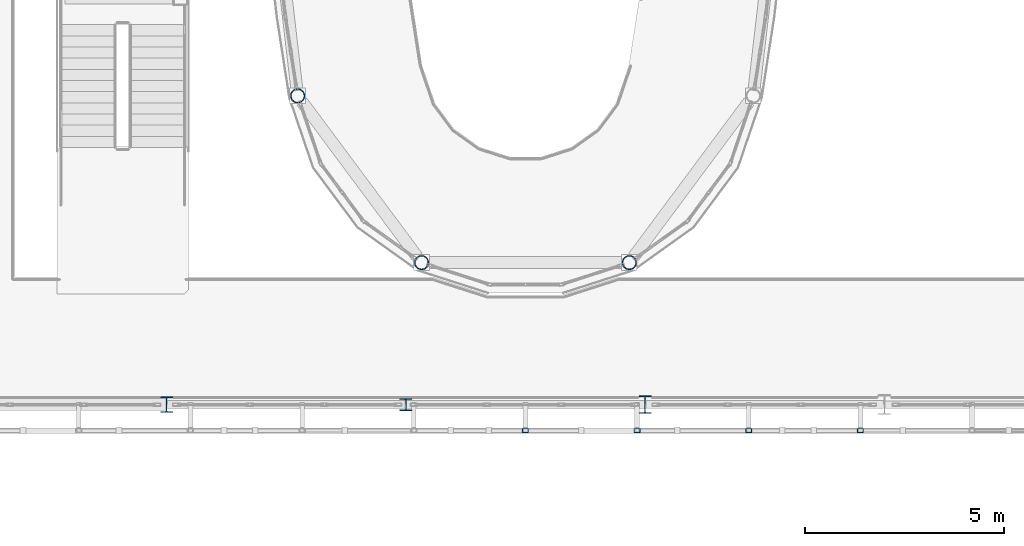
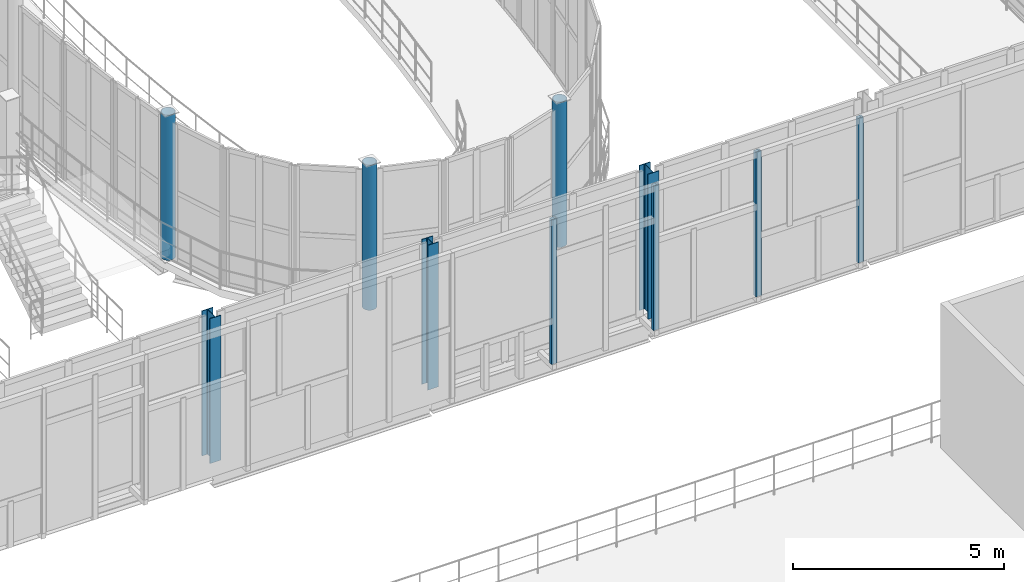
# One storey, part 3 of 138: 10 columns.
"""IFC4 building model written with IfcOpenShell, lengths in metres."""

from ifc_helpers import new_model, si_unit, direction, frame, origin, origin_2d, place, context, subcontext, project, spatial, hollow_rectangle, hollow_circle, i_section, extrude, material, material_profile, profile_set, type_object, element, save


model = new_model("IFC4")

# Units and contexts
model_context = context("Model", 3, precision=1e-05, world=origin(), true_north=direction((0.0, 1.0)))
body_context = subcontext(model_context, "Body", "Model", "MODEL_VIEW")
ifc_project = project(units=[si_unit("LENGTHUNIT", "METRE"), si_unit("AREAUNIT", "SQUARE_METRE"), si_unit("VOLUMEUNIT", "CUBIC_METRE"), si_unit("PLANEANGLEUNIT", "RADIAN"), si_unit("MASSUNIT", "GRAM", prefix="KILO")], contexts=[model_context])

# Site, building, storey
site_placement = place(None, origin())
site = spatial("IfcSite", under=ifc_project, at=site_placement, CompositionType="ELEMENT")
building_placement = place(site_placement, origin())
building = spatial("IfcBuilding", under=site, at=building_placement, Name="Vinh Khe Railworks Police Headquarters", CompositionType="ELEMENT")
storey_placement = place(building_placement, frame((0.0, 0.0, 9.0)))
storey = spatial("IfcBuildingStorey", under=building, at=storey_placement, Name="L02", CompositionType="ELEMENT", Elevation=9.0)

# Columns
ifc_material = material(Name="Steel S355JR", Category="steel")
ifc_material_profile_1 = material_profile(ifc_material, hollow_rectangle(XDim=0.14990234375, YDim=0.10009765625, WallThickness=0.008056640625, at=origin_2d()), Name="RHS 150x100x8")
ifc_profile_set_1 = profile_set([ifc_material_profile_1], Name="Steel S355JR")
column_type_1 = type_object("IfcColumnType", Name="COL-QUILT-POST", PredefinedType="COLUMN", material=ifc_profile_set_1)
for number, where, z_axis, x_axis, name in (
    (1, (43.199951171875, 24.550048828125, 0.0), (0.0, 0.0, 1.0), (1.0, 0.0, 0.0), "Patchwork Quilt Carrier Column S-7 (L02)"),
    (2, (46.0, 24.550048828125, 0.0), (0.0, 0.0, 1.0), (1.0, 0.0, 0.0), "Patchwork Quilt Carrier Column S-8 (L02)"),
    (3, (48.800048828125, 24.550048828125, 0.0), (0.0, 0.0, 1.0), (1.0, 0.0, 0.0), "Patchwork Quilt Carrier Column S-9 (L02)"),
    (4, (51.60009765625, 24.550048828125, 0.0), (0.0, 0.0, 1.0), (1.0, 0.0, 0.0), "Patchwork Quilt Carrier Column S-10 (L02)"),
):
    element("IfcColumn", number, at=place(storey_placement, frame(where, z_axis=z_axis, x_axis=x_axis)), inside=storey, type_object=column_type_1, Name=name, PredefinedType="COLUMN", context=body_context, shape_type="SweptSolid", body=[
        extrude(hollow_rectangle(XDim=0.14990234375, YDim=0.10009765625, WallThickness=0.008056640625, at=origin_2d()), origin(), (0.0, 0.0, 1.0), 4.199951171875),
    ])
ifc_material_profile_2 = material_profile(ifc_material, hollow_circle(Radius=0.177734375, WallThickness=0.01611328125, at=origin_2d()), Name="CHS 355.6x16")
ifc_profile_set_2 = profile_set([ifc_material_profile_2], Name="Steel S355JR")
column_type_2 = type_object("IfcColumnType", Name="Steel Column CHS 355.6x16", PredefinedType="COLUMN", material=ifc_profile_set_2)
for number, where, z_axis, x_axis, name in (
    (5, (37.48681640625, 32.944091796875, 0.0), (0.0, 0.0, 1.0), (-0.946480392435, -0.322761315426, 0.0), "Column COL-L02-SC-27-0842"),
    (6, (40.594970703125, 28.762451171875, 0.0), (0.0, 0.0, 1.0), (-0.30552912238, -0.952182732136, 0.0), "Column COL-L02-SC-27-0881"),
    (7, (45.80517578125, 28.762451171875, 0.0), (0.0, 0.0, 1.0), (0.581981048437, -0.813202348287, 0.0), "Column COL-L02-SC-27-0891"),
):
    element("IfcColumn", number, at=place(storey_placement, frame(where, z_axis=z_axis, x_axis=x_axis)), inside=storey, type_object=column_type_2, Name=name, PredefinedType="COLUMN", context=body_context, shape_type="SweptSolid", body=[
        extrude(hollow_circle(Radius=0.177734375, WallThickness=0.01611328125, at=origin_2d()), origin(), (0.0, 0.0, 1.0), 4.199951171875),
    ])
ifc_material_profile_3 = material_profile(ifc_material, i_section(OverallWidth=0.300048828125, OverallDepth=0.389892578125, WebThickness=0.010986328125, FlangeThickness=0.01904296875, FilletRadius=0.027099609375, at=origin_2d()), Name="HEA 400")
ifc_profile_set_3 = profile_set([ifc_material_profile_3], Name="Steel S355JR")
column_type_3 = type_object("IfcColumnType", Name="Steel Column HEA 400", PredefinedType="COLUMN", material=ifc_profile_set_3)
column_1_placement = place(storey_placement, frame((34.199951171875, 25.199951171875, 0.0), z_axis=(0.0, 0.0, 1.0), x_axis=(1.0, 0.0, 0.0)))
element("IfcColumn", 8, at=column_1_placement, inside=storey, type_object=column_type_3, Name="Column COL-L02-SC-15-0792", PredefinedType="COLUMN", context=body_context, shape_type="SweptSolid", body=[
    extrude(i_section(OverallWidth=0.300048828125, OverallDepth=0.389892578125, WebThickness=0.010986328125, FlangeThickness=0.01904296875, FilletRadius=0.027099609375, at=origin_2d()), origin(), (0.0, 0.0, 1.0), 4.199951171875),
])
ifc_material_profile_4 = material_profile(ifc_material, i_section(OverallWidth=0.300048828125, OverallDepth=0.43994140625, WebThickness=0.011474609375, FlangeThickness=0.02099609375, FilletRadius=0.027099609375, at=origin_2d()), Name="HEA 450")
ifc_profile_set_4 = profile_set([ifc_material_profile_4], Name="Steel S355JR")
column_type_4 = type_object("IfcColumnType", Name="Steel Column HEA 450", PredefinedType="COLUMN", material=ifc_profile_set_4)
column_2_placement = place(storey_placement, frame((46.199951171875, 25.199951171875, 0.0), z_axis=(0.0, 0.0, 1.0), x_axis=(1.0, 0.0, 0.0)))
element("IfcColumn", 9, at=column_2_placement, inside=storey, type_object=column_type_4, Name="Column COL-L02-SC-14-0910", PredefinedType="COLUMN", context=body_context, shape_type="SweptSolid", body=[
    extrude(i_section(OverallWidth=0.300048828125, OverallDepth=0.43994140625, WebThickness=0.011474609375, FlangeThickness=0.02099609375, FilletRadius=0.027099609375, at=origin_2d()), origin(), (0.0, 0.0, 1.0), 4.199951171875),
])
ifc_material_profile_5 = material_profile(ifc_material, i_section(OverallWidth=0.300048828125, OverallDepth=0.300048828125, WebThickness=0.010986328125, FlangeThickness=0.01904296875, FilletRadius=0.027099609375, at=origin_2d()), Name="HEB 300")
ifc_profile_set_5 = profile_set([ifc_material_profile_5], Name="Steel S355JR")
column_type_5 = type_object("IfcColumnType", Name="Steel Column HEB 300", PredefinedType="COLUMN", material=ifc_profile_set_5)
column_3_placement = place(storey_placement, frame((40.199951171875, 25.199951171875, 0.0), z_axis=(0.0, 0.0, 1.0), x_axis=(1.0, 0.0, 0.0)))
element("IfcColumn", 10, at=column_3_placement, inside=storey, type_object=column_type_5, Name="Column COL-L02-SC-11-0861", PredefinedType="COLUMN", context=body_context, shape_type="SweptSolid", body=[
    extrude(i_section(OverallWidth=0.300048828125, OverallDepth=0.300048828125, WebThickness=0.010986328125, FlangeThickness=0.01904296875, FilletRadius=0.027099609375, at=origin_2d()), origin(), (0.0, 0.0, 1.0), 4.199951171875),
])

save(model, "model.ifc")
